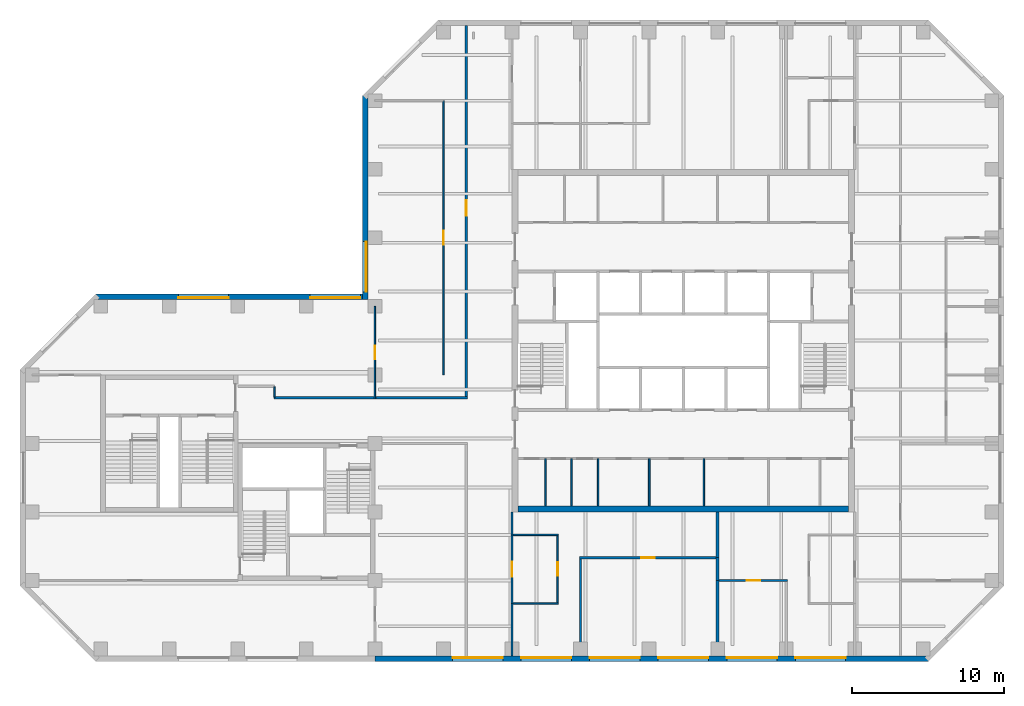
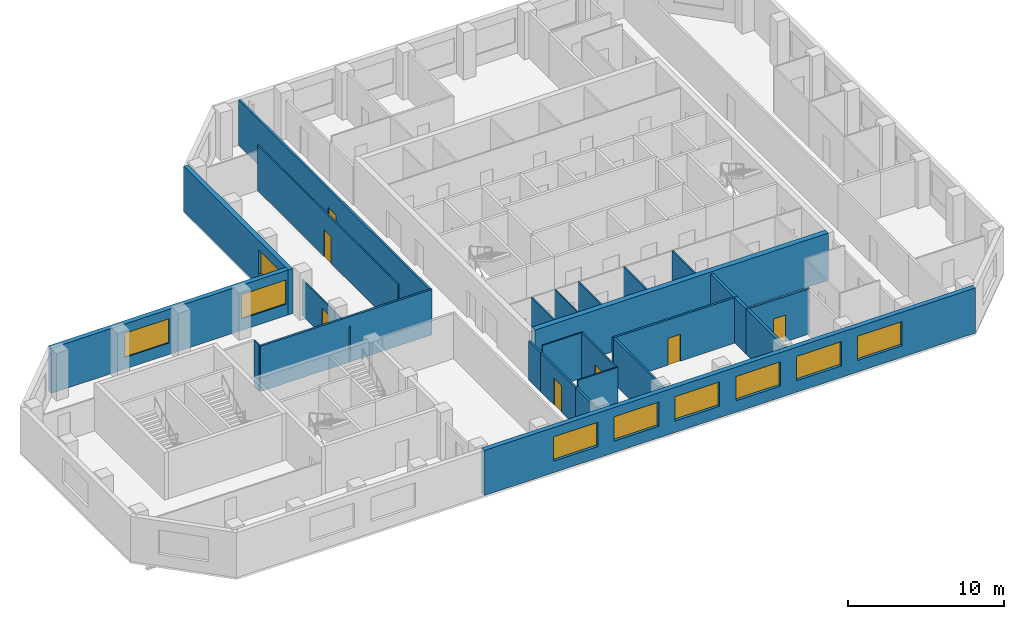
# One storey, part 3 of 8: 26 walls, 9 windows, 7 doors, 16 openings.
"""IFC4 building model written with IfcOpenShell, lengths in metres."""

from ifc_helpers import new_model, si_unit, direction, frame, frame_2d, origin, place, context, subcontext, project, spatial, rectangle, extrude, material, layer, layer_set, constituent, constituent_set, type_object, element, fill, save


model = new_model("IFC4")

# Units and contexts
model_context = context("Model", 3, precision=1e-05, world=origin(), true_north=direction((0.0, 1.0)))
body_context = subcontext(model_context, "Body", "Model", "MODEL_VIEW")
ifc_project = project(units=[si_unit("LENGTHUNIT", "METRE"), si_unit("AREAUNIT", "SQUARE_METRE"), si_unit("VOLUMEUNIT", "CUBIC_METRE"), si_unit("PLANEANGLEUNIT", "RADIAN"), si_unit("MASSUNIT", "GRAM", prefix="KILO")], contexts=[model_context])

# Site, building, storey
site_placement = place(None, origin())
site = spatial("IfcSite", under=ifc_project, at=site_placement, CompositionType="ELEMENT")
building_placement = place(site_placement, origin())
building = spatial("IfcBuilding", under=site, at=building_placement, Name="Quoin Convention Tower", CompositionType="ELEMENT")
storey_placement = place(building_placement, frame((0.0, 0.0, 211.89990234375)))
storey = spatial("IfcBuildingStorey", under=building, at=storey_placement, Name="L55", CompositionType="ELEMENT", Elevation=211.89990234375)

# Wall, opening, door
ifc_material_1 = material(Name="Plasterboard")
ifc_layer_1 = layer(ifc_material_1, 0.012451171875, Name="Finish")
ifc_material_2 = material(Name="Steel stud framing", Category="steel")
ifc_layer_2 = layer(ifc_material_2, 0.125, Name="Structure")
ifc_layer_3 = layer(ifc_material_1, 0.012451171875, Name="Finish")
ifc_layer_set_1 = layer_set([ifc_layer_1, ifc_layer_2, ifc_layer_3], Name="Steel stud framing")
wall_type_1 = type_object("IfcWallType", Name="Acoustic partition 150", PredefinedType="PARTITIONING", material=ifc_layer_set_1)
wall_1_placement = place(storey_placement, frame((58.60009765625, 45.0, 0.0), z_axis=(0.0, 0.0, 1.0), x_axis=(1.0, 0.0, 0.0)))
wall_1 = element("IfcWall", 1, at=wall_1_placement, inside=storey, type_object=wall_type_1, Name="pw-L55-005", PredefinedType="PARTITIONING", context=body_context, shape_type="SweptSolid", body=[
    extrude(rectangle(XDim=4.474853515625, YDim=0.14990234375, at=frame_2d((2.2373046875, 0.0))), origin(), (0.0, 0.0, 1.0), 3.550048828125),
])
opening_1_placement = place(wall_1_placement, frame((1.800048828125, 0.0, 0.0)))
opening_1 = element("IfcOpeningElement", 2, at=opening_1_placement, cuts=wall_1, Name="Opening DOH9-01", PredefinedType="OPENING", context=body_context, shape_type="SweptSolid", body=[
    extrude(rectangle(XDim=0.89990234375, YDim=2.10009765625, at=frame_2d((0.449951171875, 1.050048828125))), frame((0.0, 0.0849609375, 0.0), z_axis=(0.0, -1.0, 0.0), x_axis=(1.0, 0.0, 0.0)), (0.0, 0.0, 1.0), 0.169921875),
])
ifc_material_3 = material(Name="Steel door leaf", Category="steel")
door_type_1 = type_object("IfcDoorType", Name="Office door 900 x 2100", OperationType="SINGLE_SWING_RIGHT", PredefinedType="DOOR", material=ifc_material_3)
door_1_placement = place(opening_1_placement, origin())
door_1 = element("IfcDoor", 3, at=door_1_placement, inside=storey, type_object=door_type_1, Name="dr-L55-12", OperationType="SINGLE_SWING_RIGHT", OverallHeight=2.10009765625, OverallWidth=0.89990234375, PredefinedType="DOOR", context=body_context, shape_type="SweptSolid", body=[
    extrude(rectangle(XDim=0.89990234375, YDim=2.10009765625, at=frame_2d((0.449951171875, 1.050048828125))), frame((0.0, 0.02490234375, 0.0), z_axis=(0.0, -1.0, 0.0), x_axis=(1.0, 0.0, 0.0)), (0.0, 0.0, 1.0), 0.050048828125),
])
fill(opening_1, door_1)

wall_2_placement = place(storey_placement, frame((49.425048828125, 46.5, 0.0), z_axis=(0.0, 0.0, 1.0), x_axis=(1.0, 0.0, 0.0)))
wall_2 = element("IfcWall", 4, at=wall_2_placement, inside=storey, type_object=wall_type_1, Name="pw-L55-008", PredefinedType="PARTITIONING", context=body_context, shape_type="SweptSolid", body=[
    extrude(rectangle(XDim=8.974853515625, YDim=0.14990234375, at=frame_2d((4.4873046875, 0.0))), origin(), (0.0, 0.0, 1.0), 3.550048828125),
])
opening_2_placement = place(wall_2_placement, frame((4.050048828125, 0.0, 0.0)))
opening_2 = element("IfcOpeningElement", 5, at=opening_2_placement, cuts=wall_2, Name="Opening DOH9-03", PredefinedType="OPENING", context=body_context, shape_type="SweptSolid", body=[
    extrude(rectangle(XDim=0.89990234375, YDim=2.10009765625, at=frame_2d((0.449951171875, 1.050048828125))), frame((0.0, 0.0849609375, 0.0), z_axis=(0.0, -1.0, 0.0), x_axis=(1.0, 0.0, 0.0)), (0.0, 0.0, 1.0), 0.169921875),
])
door_2_placement = place(opening_2_placement, frame((0.89990234375, 0.0, 0.0), z_axis=(0.0, 0.0, 1.0), x_axis=(-1.0, 0.0, 0.0)))
door_2 = element("IfcDoor", 6, at=door_2_placement, inside=storey, type_object=door_type_1, Name="dr-L55-09", OperationType="SINGLE_SWING_RIGHT", OverallHeight=2.10009765625, OverallWidth=0.89990234375, PredefinedType="DOOR", context=body_context, shape_type="SweptSolid", body=[
    extrude(rectangle(XDim=0.89990234375, YDim=2.10009765625, at=frame_2d((0.449951171875, 1.050048828125))), frame((0.0, 0.02490234375, 0.0), z_axis=(0.0, -1.0, 0.0), x_axis=(1.0, 0.0, 0.0)), (0.0, 0.0, 1.0), 0.050048828125),
])
fill(opening_2, door_2)

# Wall
wall_3_placement = place(storey_placement, frame((49.5, 40.050048828125, 0.0), z_axis=(0.0, 0.0, 1.0), x_axis=(0.0, 1.0, 0.0)))
element("IfcWall", 7, at=wall_3_placement, inside=storey, type_object=wall_type_1, Name="pw-L55-028", PredefinedType="PARTITIONING", context=body_context, shape_type="SweptSolid", body=[
    extrude(rectangle(XDim=6.375, YDim=0.14990234375, at=frame_2d((3.1875, 0.0))), origin(), (0.0, 0.0, 1.0), 3.550048828125),
])

# Wall, openings, windows
ifc_material_4 = material(Name="Brick masonry", Category="masonry")
ifc_layer_4 = layer(ifc_material_4, 0.35009765625)
ifc_layer_set_2 = layer_set([ifc_layer_4], Name="Brick masonry")
wall_type_2 = type_object("IfcWallType", Name="Brick facade wall", PredefinedType="STANDARD", material=ifc_layer_set_2)
wall_4_placement = place(storey_placement, frame((36.0, 39.875, 0.0), z_axis=(0.0, 0.0, 1.0), x_axis=(1.0, 0.0, 0.0)))
wall_4 = element("IfcWall", 8, at=wall_4_placement, inside=storey, type_object=wall_type_2, Name="fw-L55-36000_40500", PredefinedType="STANDARD", context=body_context, shape_type="SweptSolid", body=[
    extrude(rectangle(XDim=36.331298828125, YDim=0.35009765625, at=frame_2d((18.16552734375, 0.0))), origin(), (0.0, 0.0, 1.0), 3.525146484375),
])
opening_3_placement = place(wall_4_placement, frame((5.10009765625, 0.0, 0.89990234375)))
opening_3 = element("IfcOpeningElement", 9, at=opening_3_placement, cuts=wall_4, Name="Opening W-02", PredefinedType="OPENING", context=body_context, shape_type="SweptSolid", body=[
    extrude(rectangle(XDim=3.300048828125, YDim=1.89990234375, at=frame_2d((1.64990234375, 0.949951171875))), frame((0.0, 0.18505859375, 0.0), z_axis=(0.0, -1.0, 0.0), x_axis=(1.0, 0.0, 0.0)), (0.0, 0.0, 1.0), 0.3701171875),
])
opening_4_placement = place(wall_4_placement, frame((9.60009765625, 0.0, 0.89990234375)))
opening_4 = element("IfcOpeningElement", 10, at=opening_4_placement, cuts=wall_4, Name="Opening W-02", PredefinedType="OPENING", context=body_context, shape_type="SweptSolid", body=[
    extrude(rectangle(XDim=3.300048828125, YDim=1.89990234375, at=frame_2d((1.64990234375, 0.949951171875))), frame((0.0, 0.18505859375, 0.0), z_axis=(0.0, -1.0, 0.0), x_axis=(1.0, 0.0, 0.0)), (0.0, 0.0, 1.0), 0.3701171875),
])
opening_5_placement = place(wall_4_placement, frame((14.10009765625, 0.0, 0.89990234375)))
opening_5 = element("IfcOpeningElement", 11, at=opening_5_placement, cuts=wall_4, Name="Opening W-02", PredefinedType="OPENING", context=body_context, shape_type="SweptSolid", body=[
    extrude(rectangle(XDim=3.300048828125, YDim=1.89990234375, at=frame_2d((1.64990234375, 0.949951171875))), frame((0.0, 0.18505859375, 0.0), z_axis=(0.0, -1.0, 0.0), x_axis=(1.0, 0.0, 0.0)), (0.0, 0.0, 1.0), 0.3701171875),
])
opening_6_placement = place(wall_4_placement, frame((18.60009765625, 0.0, 0.89990234375)))
opening_6 = element("IfcOpeningElement", 12, at=opening_6_placement, cuts=wall_4, Name="Opening W-02", PredefinedType="OPENING", context=body_context, shape_type="SweptSolid", body=[
    extrude(rectangle(XDim=3.300048828125, YDim=1.89990234375, at=frame_2d((1.64990234375, 0.949951171875))), frame((0.0, 0.18505859375, 0.0), z_axis=(0.0, -1.0, 0.0), x_axis=(1.0, 0.0, 0.0)), (0.0, 0.0, 1.0), 0.3701171875),
])
opening_7_placement = place(wall_4_placement, frame((23.10009765625, 0.0, 0.89990234375)))
opening_7 = element("IfcOpeningElement", 13, at=opening_7_placement, cuts=wall_4, Name="Opening W-02", PredefinedType="OPENING", context=body_context, shape_type="SweptSolid", body=[
    extrude(rectangle(XDim=3.300048828125, YDim=1.89990234375, at=frame_2d((1.64990234375, 0.949951171875))), frame((0.0, 0.18505859375, 0.0), z_axis=(0.0, -1.0, 0.0), x_axis=(1.0, 0.0, 0.0)), (0.0, 0.0, 1.0), 0.3701171875),
])
opening_8_placement = place(wall_4_placement, frame((27.60009765625, 0.0, 0.89990234375)))
opening_8 = element("IfcOpeningElement", 14, at=opening_8_placement, cuts=wall_4, Name="Opening W-02", PredefinedType="OPENING", context=body_context, shape_type="SweptSolid", body=[
    extrude(rectangle(XDim=3.300048828125, YDim=1.89990234375, at=frame_2d((1.64990234375, 0.949951171875))), frame((0.0, 0.18505859375, 0.0), z_axis=(0.0, -1.0, 0.0), x_axis=(1.0, 0.0, 0.0)), (0.0, 0.0, 1.0), 0.3701171875),
])
ifc_material_5 = material(Name="Aluminium", Category="aluminium")
ifc_constituent_1 = constituent(ifc_material_5, Name="Frame")
ifc_material_6 = material(Name="Insulated glass", Category="glass")
ifc_constituent_2 = constituent(ifc_material_6, Name="Glazing")
ifc_constituent_set = constituent_set(constituents=[ifc_constituent_1, ifc_constituent_2], Name="Aluminium")
window_type = type_object("IfcWindowType", Name="Office window", PartitioningType="DOUBLE_PANEL_VERTICAL", PredefinedType="WINDOW", material=ifc_constituent_set)
window_1_placement = place(opening_3_placement, origin())
window_1 = element("IfcWindow", 15, at=window_1_placement, inside=storey, type_object=window_type, Name="win-L55-42750_39875", OverallHeight=1.89990234375, OverallWidth=3.300048828125, PartitioningType="SINGLE_PANEL", PredefinedType="WINDOW", context=body_context, shape_type="SweptSolid", body=[
    extrude(rectangle(XDim=3.300048828125, YDim=1.89990234375, at=frame_2d((1.64990234375, 0.949951171875))), frame((0.0, 0.0849609375, 0.0), z_axis=(0.0, -1.0, 0.0), x_axis=(1.0, 0.0, 0.0)), (0.0, 0.0, 1.0), 0.06005859375),
])
fill(opening_3, window_1)
window_2_placement = place(opening_4_placement, origin())
window_2 = element("IfcWindow", 16, at=window_2_placement, inside=storey, type_object=window_type, Name="win-L55-47250_39875", OverallHeight=1.89990234375, OverallWidth=3.300048828125, PartitioningType="SINGLE_PANEL", PredefinedType="WINDOW", context=body_context, shape_type="SweptSolid", body=[
    extrude(rectangle(XDim=3.300048828125, YDim=1.89990234375, at=frame_2d((1.64990234375, 0.949951171875))), frame((0.0, 0.0849609375, 0.0), z_axis=(0.0, -1.0, 0.0), x_axis=(1.0, 0.0, 0.0)), (0.0, 0.0, 1.0), 0.06005859375),
])
fill(opening_4, window_2)
window_3_placement = place(opening_5_placement, origin())
window_3 = element("IfcWindow", 17, at=window_3_placement, inside=storey, type_object=window_type, Name="win-L55-51750_39875", OverallHeight=1.89990234375, OverallWidth=3.300048828125, PartitioningType="SINGLE_PANEL", PredefinedType="WINDOW", context=body_context, shape_type="SweptSolid", body=[
    extrude(rectangle(XDim=3.300048828125, YDim=1.89990234375, at=frame_2d((1.64990234375, 0.949951171875))), frame((0.0, 0.0849609375, 0.0), z_axis=(0.0, -1.0, 0.0), x_axis=(1.0, 0.0, 0.0)), (0.0, 0.0, 1.0), 0.06005859375),
])
fill(opening_5, window_3)
window_4_placement = place(opening_6_placement, origin())
window_4 = element("IfcWindow", 18, at=window_4_placement, inside=storey, type_object=window_type, Name="win-L55-56250_39875", OverallHeight=1.89990234375, OverallWidth=3.300048828125, PartitioningType="SINGLE_PANEL", PredefinedType="WINDOW", context=body_context, shape_type="SweptSolid", body=[
    extrude(rectangle(XDim=3.300048828125, YDim=1.89990234375, at=frame_2d((1.64990234375, 0.949951171875))), frame((0.0, 0.0849609375, 0.0), z_axis=(0.0, -1.0, 0.0), x_axis=(1.0, 0.0, 0.0)), (0.0, 0.0, 1.0), 0.06005859375),
])
fill(opening_6, window_4)
window_5_placement = place(opening_7_placement, origin())
window_5 = element("IfcWindow", 19, at=window_5_placement, inside=storey, type_object=window_type, Name="win-L55-60750_39875", OverallHeight=1.89990234375, OverallWidth=3.300048828125, PartitioningType="SINGLE_PANEL", PredefinedType="WINDOW", context=body_context, shape_type="SweptSolid", body=[
    extrude(rectangle(XDim=3.300048828125, YDim=1.89990234375, at=frame_2d((1.64990234375, 0.949951171875))), frame((0.0, 0.0849609375, 0.0), z_axis=(0.0, -1.0, 0.0), x_axis=(1.0, 0.0, 0.0)), (0.0, 0.0, 1.0), 0.06005859375),
])
fill(opening_7, window_5)
window_6_placement = place(opening_8_placement, origin())
window_6 = element("IfcWindow", 20, at=window_6_placement, inside=storey, type_object=window_type, Name="win-L55-65250_39875", OverallHeight=1.89990234375, OverallWidth=3.300048828125, PartitioningType="SINGLE_PANEL", PredefinedType="WINDOW", context=body_context, shape_type="SweptSolid", body=[
    extrude(rectangle(XDim=3.300048828125, YDim=1.89990234375, at=frame_2d((1.64990234375, 0.949951171875))), frame((0.0, 0.0849609375, 0.0), z_axis=(0.0, -1.0, 0.0), x_axis=(1.0, 0.0, 0.0)), (0.0, 0.0, 1.0), 0.06005859375),
])
fill(opening_8, window_6)

# Wall, opening, window
wall_5_placement = place(storey_placement, frame((35.375, 76.831298828125, 0.0), z_axis=(0.0, 0.0, 1.0), x_axis=(0.0, -1.0, 0.0)))
wall_5 = element("IfcWall", 21, at=wall_5_placement, inside=storey, type_object=wall_type_2, Name="fw-L55-36000_76500", PredefinedType="STANDARD", context=body_context, shape_type="SweptSolid", body=[
    extrude(rectangle(XDim=13.38134765625, YDim=0.35009765625, at=frame_2d((6.690673828125, 0.0))), origin(), (0.0, 0.0, 1.0), 3.525146484375),
])
opening_9_placement = place(wall_5_placement, frame((9.581298828125, 0.0, 0.89990234375)))
opening_9 = element("IfcOpeningElement", 22, at=opening_9_placement, cuts=wall_5, Name="Opening W-02", PredefinedType="OPENING", context=body_context, shape_type="SweptSolid", body=[
    extrude(rectangle(XDim=3.300048828125, YDim=1.89990234375, at=frame_2d((1.64990234375, 0.949951171875))), frame((0.0, 0.18505859375, 0.0), z_axis=(0.0, -1.0, 0.0), x_axis=(1.0, 0.0, 0.0)), (0.0, 0.0, 1.0), 0.3701171875),
])
window_7_placement = place(opening_9_placement, origin())
window_7 = element("IfcWindow", 23, at=window_7_placement, inside=storey, type_object=window_type, Name="win-L55-35375_65250", OverallHeight=1.89990234375, OverallWidth=3.300048828125, PartitioningType="SINGLE_PANEL", PredefinedType="WINDOW", context=body_context, shape_type="SweptSolid", body=[
    extrude(rectangle(XDim=3.300048828125, YDim=1.89990234375, at=frame_2d((1.64990234375, 0.949951171875))), frame((0.0, 0.0849609375, 0.0), z_axis=(0.0, -1.0, 0.0), x_axis=(1.0, 0.0, 0.0)), (0.0, 0.0, 1.0), 0.06005859375),
])
fill(opening_9, window_7)

# Wall, openings, windows
wall_6_placement = place(storey_placement, frame((35.550048828125, 63.625, 0.0), z_axis=(0.0, 0.0, 1.0), x_axis=(-1.0, 0.0, 0.0)))
wall_6 = element("IfcWall", 24, at=wall_6_placement, inside=storey, type_object=wall_type_2, Name="fw-L55-36000_63000", PredefinedType="STANDARD", context=body_context, shape_type="SweptSolid", body=[
    extrude(rectangle(XDim=17.88134765625, YDim=0.35009765625, at=frame_2d((8.940673828125, 0.0))), origin(), (0.0, 0.0, 1.0), 3.525146484375),
])
opening_10_placement = place(wall_6_placement, frame((0.5, 0.0, 0.89990234375)))
opening_10 = element("IfcOpeningElement", 25, at=opening_10_placement, cuts=wall_6, Name="Opening W-02", PredefinedType="OPENING", context=body_context, shape_type="SweptSolid", body=[
    extrude(rectangle(XDim=3.300048828125, YDim=1.89990234375, at=frame_2d((1.64990234375, 0.949951171875))), frame((0.0, 0.18505859375, 0.0), z_axis=(0.0, -1.0, 0.0), x_axis=(1.0, 0.0, 0.0)), (0.0, 0.0, 1.0), 0.3701171875),
])
opening_11_placement = place(wall_6_placement, frame((9.14990234375, 0.0, 0.89990234375)))
opening_11 = element("IfcOpeningElement", 26, at=opening_11_placement, cuts=wall_6, Name="Opening W-02", PredefinedType="OPENING", context=body_context, shape_type="SweptSolid", body=[
    extrude(rectangle(XDim=3.300048828125, YDim=1.89990234375, at=frame_2d((1.64990234375, 0.949951171875))), frame((0.0, 0.18505859375, 0.0), z_axis=(0.0, -1.0, 0.0), x_axis=(1.0, 0.0, 0.0)), (0.0, 0.0, 1.0), 0.3701171875),
])
window_8_placement = place(opening_10_placement, origin())
window_8 = element("IfcWindow", 27, at=window_8_placement, inside=storey, type_object=window_type, Name="win-L55-33750_63625", OverallHeight=1.89990234375, OverallWidth=3.300048828125, PartitioningType="SINGLE_PANEL", PredefinedType="WINDOW", context=body_context, shape_type="SweptSolid", body=[
    extrude(rectangle(XDim=3.300048828125, YDim=1.89990234375, at=frame_2d((1.64990234375, 0.949951171875))), frame((0.0, 0.0849609375, 0.0), z_axis=(0.0, -1.0, 0.0), x_axis=(1.0, 0.0, 0.0)), (0.0, 0.0, 1.0), 0.06005859375),
])
fill(opening_10, window_8)
window_9_placement = place(opening_11_placement, origin())
window_9 = element("IfcWindow", 28, at=window_9_placement, inside=storey, type_object=window_type, Name="win-L55-24750_63625", OverallHeight=1.89990234375, OverallWidth=3.300048828125, PartitioningType="SINGLE_PANEL", PredefinedType="WINDOW", context=body_context, shape_type="SweptSolid", body=[
    extrude(rectangle(XDim=3.300048828125, YDim=1.89990234375, at=frame_2d((1.64990234375, 0.949951171875))), frame((0.0, 0.0849609375, 0.0), z_axis=(0.0, -1.0, 0.0), x_axis=(1.0, 0.0, 0.0)), (0.0, 0.0, 1.0), 0.06005859375),
])
fill(opening_11, window_9)

# Walls
ifc_layer_5 = layer(ifc_material_1, 0.012451171875, Name="Finish")
ifc_layer_6 = layer(ifc_material_2, 0.074951171875, Name="Structure")
ifc_layer_7 = layer(ifc_material_1, 0.012451171875, Name="Finish")
ifc_layer_set_3 = layer_set([ifc_layer_5, ifc_layer_6, ifc_layer_7], Name="Steel stud framing")
wall_type_3 = type_object("IfcWallType", Name="Core partition wall", PredefinedType="PARTITIONING", material=ifc_layer_set_3)
for number, where, z_axis, x_axis, name in (
    (29, (47.18505859375, 49.89990234375, 0.0), (0.0, 0.0, 1.0), (0.0, 1.0, 0.0), "cr-C1-L55-v2185_400"),
    (30, (48.91748046875, 49.89990234375, 0.0), (0.0, 0.0, 1.0), (0.0, 1.0, 0.0), "cr-C1-L55-v3918_400"),
    (31, (50.64990234375, 49.89990234375, 0.0), (0.0, 0.0, 1.0), (0.0, 1.0, 0.0), "cr-C1-L55-v5650_400"),
    (32, (54.010009765625, 49.89990234375, 0.0), (0.0, 0.0, 1.0), (0.0, 1.0, 0.0), "cr-C1-L55-v9010_400"),
    (33, (57.593994140625, 49.89990234375, 0.0), (0.0, 0.0, 1.0), (0.0, 1.0, 0.0), "cr-C1-L55-v12594_400"),
):
    element("IfcWall", number, at=place(storey_placement, frame(where, z_axis=z_axis, x_axis=x_axis)), inside=storey, type_object=wall_type_3, Name=name, PredefinedType="PARTITIONING", context=body_context, shape_type="SweptSolid", body=[
        extrude(rectangle(XDim=3.10009765625, YDim=0.10009765625, at=frame_2d((1.550048828125, 0.0))), origin(), (0.0, 0.0, 1.0), 3.550048828125),
    ])
ifc_layer_8 = layer(ifc_material_1, 0.012451171875, Name="Finish")
ifc_layer_9 = layer(ifc_material_2, 0.125, Name="Structure")
ifc_layer_10 = layer(ifc_material_1, 0.012451171875, Name="Finish")
ifc_layer_set_4 = layer_set([ifc_layer_8, ifc_layer_9, ifc_layer_10], Name="Steel stud framing")
wall_type_4 = type_object("IfcWallType", Name="Corridor wall 150", PredefinedType="PARTITIONING", material=ifc_layer_set_4)
wall_7_placement = place(storey_placement, frame((29.3798828125, 57.0, 0.0), z_axis=(0.0, 0.0, 1.0), x_axis=(1.0, 0.0, 0.0)))
element("IfcWall", 34, at=wall_7_placement, inside=storey, type_object=wall_type_4, Name="pw-L55-016", PredefinedType="PARTITIONING", context=body_context, shape_type="SweptSolid", body=[
    extrude(rectangle(XDim=12.695068359375, YDim=0.14990234375, at=frame_2d((6.34765625, 0.0))), origin(), (0.0, 0.0, 1.0), 3.550048828125),
])

# Wall, opening, door
wall_8_placement = place(storey_placement, frame((42.0, 57.074951171875, 0.0), z_axis=(0.0, 0.0, 1.0), x_axis=(0.0, 1.0, 0.0)))
wall_8 = element("IfcWall", 35, at=wall_8_placement, inside=storey, type_object=wall_type_4, Name="pw-L55-050", PredefinedType="PARTITIONING", context=body_context, shape_type="SweptSolid", body=[
    extrude(rectangle(XDim=24.375, YDim=0.14990234375, at=frame_2d((12.1875, 0.0))), origin(), (0.0, 0.0, 1.0), 3.550048828125),
])
opening_12_placement = place(wall_8_placement, frame((11.889892578125, 0.0, 0.0)))
opening_12 = element("IfcOpeningElement", 36, at=opening_12_placement, cuts=wall_8, Name="Opening DOH9-17", PredefinedType="OPENING", context=body_context, shape_type="SweptSolid", body=[
    extrude(rectangle(XDim=1.0, YDim=2.10009765625, at=frame_2d((0.5, 1.050048828125))), frame((0.0, 0.0849609375, 0.0), z_axis=(0.0, -1.0, 0.0), x_axis=(1.0, 0.0, 0.0)), (0.0, 0.0, 1.0), 0.169921875),
])
door_type_2 = type_object("IfcDoorType", Name="Tenancy entrance door 1000 x 2100", OperationType="DOUBLE_DOOR_SINGLE_SWING", PredefinedType="DOOR", material=ifc_material_3)
door_3_placement = place(opening_12_placement, origin())
door_3 = element("IfcDoor", 37, at=door_3_placement, inside=storey, type_object=door_type_2, Name="dr-L55-w01", OperationType="DOUBLE_DOOR_SINGLE_SWING", OverallHeight=2.10009765625, OverallWidth=1.0, PredefinedType="DOOR", context=body_context, shape_type="SweptSolid", body=[
    extrude(rectangle(XDim=1.0, YDim=2.10009765625, at=frame_2d((0.5, 1.050048828125))), frame((0.0, 0.02490234375, 0.0), z_axis=(0.0, -1.0, 0.0), x_axis=(1.0, 0.0, 0.0)), (0.0, 0.0, 1.0), 0.050048828125),
])
fill(opening_12, door_3)

# Wall
ifc_layer_11 = layer(ifc_material_1, 0.012451171875, Name="Finish")
ifc_layer_12 = layer(ifc_material_2, 0.125, Name="Structure")
ifc_layer_13 = layer(ifc_material_1, 0.012451171875, Name="Finish")
ifc_layer_set_5 = layer_set([ifc_layer_11, ifc_layer_12, ifc_layer_13], Name="Steel stud framing")
wall_type_5 = type_object("IfcWallType", Name="Corridor wall 150 under beam 528", PredefinedType="PARTITIONING", material=ifc_layer_set_5)
wall_9_placement = place(storey_placement, frame((45.0, 40.050048828125, 0.0), z_axis=(0.0, 0.0, 1.0), x_axis=(0.0, 1.0, 0.0)))
element("IfcWall", 38, at=wall_9_placement, inside=storey, type_object=wall_type_5, Name="pw-L55-027", PredefinedType="PARTITIONING", context=body_context, shape_type="SweptSolid", body=[
    extrude(rectangle(XDim=3.449951171875, YDim=0.14990234375, at=frame_2d((1.72509765625, 0.0))), origin(), (0.0, 0.0, 1.0), 3.022216796875),
])

# Wall, opening, door
wall_10_placement = place(storey_placement, frame((45.0, 43.5, 0.0), z_axis=(0.0, 0.0, 1.0), x_axis=(0.0, 1.0, 0.0)))
wall_10 = element("IfcWall", 39, at=wall_10_placement, inside=storey, type_object=wall_type_5, Name="pw-L55-034", PredefinedType="PARTITIONING", context=body_context, shape_type="SweptSolid", body=[
    extrude(rectangle(XDim=4.5, YDim=0.14990234375, at=frame_2d((2.25, 0.0))), origin(), (0.0, 0.0, 1.0), 3.022216796875),
])
opening_13_placement = place(wall_10_placement, frame((1.75, 0.0, 0.0)))
opening_13 = element("IfcOpeningElement", 40, at=opening_13_placement, cuts=wall_10, Name="Opening DOH9-10", PredefinedType="OPENING", context=body_context, shape_type="SweptSolid", body=[
    extrude(rectangle(XDim=1.0, YDim=2.10009765625, at=frame_2d((0.5, 1.050048828125))), frame((0.0, 0.0849609375, 0.0), z_axis=(0.0, -1.0, 0.0), x_axis=(1.0, 0.0, 0.0)), (0.0, 0.0, 1.0), 0.169921875),
])
door_4_placement = place(opening_13_placement, origin())
door_4 = element("IfcDoor", 41, at=door_4_placement, inside=storey, type_object=door_type_2, Name="dr-L55-07", OperationType="DOUBLE_DOOR_SINGLE_SWING", OverallHeight=2.10009765625, OverallWidth=1.0, PredefinedType="DOOR", context=body_context, shape_type="SweptSolid", body=[
    extrude(rectangle(XDim=1.0, YDim=2.10009765625, at=frame_2d((0.5, 1.050048828125))), frame((0.0, 0.02490234375, 0.0), z_axis=(0.0, -1.0, 0.0), x_axis=(1.0, 0.0, 0.0)), (0.0, 0.0, 1.0), 0.050048828125),
])
fill(opening_13, door_4)

# Walls
wall_11_placement = place(storey_placement, frame((45.0, 48.0, 0.0), z_axis=(0.0, 0.0, 1.0), x_axis=(0.0, 1.0, 0.0)))
element("IfcWall", 42, at=wall_11_placement, inside=storey, type_object=wall_type_5, Name="pw-L55-045", PredefinedType="PARTITIONING", context=body_context, shape_type="SweptSolid", body=[
    extrude(rectangle(XDim=1.5, YDim=0.14990234375, at=frame_2d((0.75, 0.0))), origin(), (0.0, 0.0, 1.0), 3.022216796875),
])
ifc_material_7 = material(Name="Concrete C50", Category="concrete")
ifc_layer_14 = layer(ifc_material_7, 0.39990234375)
ifc_layer_set_6 = layer_set([ifc_layer_14], Name="Concrete C50")
wall_type_6 = type_object("IfcWallType", Name="RC CORE WALL 400 C50", PredefinedType="SHEAR", material=ifc_layer_set_6)
wall_12_placement = place(storey_placement, frame((45.39990234375, 49.699951171875, 0.0), z_axis=(0.0, 0.0, 1.0), x_axis=(1.0, 0.0, 0.0)))
element("IfcWall", 43, at=wall_12_placement, inside=storey, type_object=wall_type_6, Name="cwl-C1-L55-S", PredefinedType="SHEAR", context=body_context, shape_type="SweptSolid", body=[
    extrude(rectangle(XDim=21.7001953125, YDim=0.39990234375, at=frame_2d((10.85009765625, 0.0))), origin(), (0.0, 0.0, 1.0), 3.7001953125),
])
ifc_layer_15 = layer(ifc_material_1, 0.012451171875, Name="Finish")
ifc_layer_16 = layer(ifc_material_2, 0.074951171875, Name="Structure")
ifc_layer_17 = layer(ifc_material_1, 0.012451171875, Name="Finish")
ifc_layer_set_7 = layer_set([ifc_layer_15, ifc_layer_16, ifc_layer_17], Name="Steel stud framing")
wall_type_7 = type_object("IfcWallType", Name="Stud partition 100", PredefinedType="PARTITIONING", material=ifc_layer_set_7)
for number, where, z_axis, x_axis, name in (
    (44, (45.074951171875, 43.5, 0.0), (0.0, 0.0, 1.0), (1.0, 0.0, 0.0), "pw-L55-001"),
    (45, (45.074951171875, 48.0, 0.0), (0.0, 0.0, 1.0), (1.0, 0.0, 0.0), "pw-L55-009"),
):
    element("IfcWall", number, at=place(storey_placement, frame(where, z_axis=z_axis, x_axis=x_axis)), inside=storey, type_object=wall_type_7, Name=name, PredefinedType="PARTITIONING", context=body_context, shape_type="SweptSolid", body=[
        extrude(rectangle(XDim=2.97509765625, YDim=0.10009765625, at=frame_2d((1.487548828125, 0.0))), origin(), (0.0, 0.0, 1.0), 3.550048828125),
    ])

# Wall, opening, door
wall_13_placement = place(storey_placement, frame((48.0, 43.550048828125, 0.0), z_axis=(0.0, 0.0, 1.0), x_axis=(0.0, 1.0, 0.0)))
wall_13 = element("IfcWall", 46, at=wall_13_placement, inside=storey, type_object=wall_type_7, Name="pw-L55-036", PredefinedType="PARTITIONING", context=body_context, shape_type="SweptSolid", body=[
    extrude(rectangle(XDim=4.39990234375, YDim=0.10009765625, at=frame_2d((2.199951171875, 0.0))), origin(), (0.0, 0.0, 1.0), 3.550048828125),
])
opening_14_placement = place(wall_13_placement, frame((1.75, 0.0, 0.0)))
opening_14 = element("IfcOpeningElement", 47, at=opening_14_placement, cuts=wall_13, Name="Opening DOH9-12", PredefinedType="OPENING", context=body_context, shape_type="SweptSolid", body=[
    extrude(rectangle(XDim=0.89990234375, YDim=2.10009765625, at=frame_2d((0.449951171875, 1.050048828125))), frame((0.0, 0.06005859375, 0.0), z_axis=(0.0, -1.0, 0.0), x_axis=(1.0, 0.0, 0.0)), (0.0, 0.0, 1.0), 0.1201171875),
])
door_5_placement = place(opening_14_placement, frame((0.89990234375, 0.0, 0.0), z_axis=(0.0, 0.0, 1.0), x_axis=(-1.0, 0.0, 0.0)))
door_5 = element("IfcDoor", 48, at=door_5_placement, inside=storey, type_object=door_type_1, Name="dr-L55-08", OperationType="SINGLE_SWING_LEFT", OverallHeight=2.10009765625, OverallWidth=0.89990234375, PredefinedType="DOOR", context=body_context, shape_type="SweptSolid", body=[
    extrude(rectangle(XDim=0.89990234375, YDim=2.10009765625, at=frame_2d((0.449951171875, 1.050048828125))), frame((0.0, 0.02490234375, 0.0), z_axis=(0.0, -1.0, 0.0), x_axis=(1.0, 0.0, 0.0)), (0.0, 0.0, 1.0), 0.050048828125),
])
fill(opening_14, door_5)

wall_14_placement = place(storey_placement, frame((40.5, 76.5, 0.0), z_axis=(0.0, 0.0, 1.0), x_axis=(0.0, -1.0, 0.0)))
wall_14 = element("IfcWall", 49, at=wall_14_placement, inside=storey, type_object=wall_type_7, Name="pw-L55-w02", PredefinedType="PARTITIONING", context=body_context, shape_type="SweptSolid", body=[
    extrude(rectangle(XDim=18.0, YDim=0.10009765625, at=frame_2d((9.0, 0.0))), origin(), (0.0, 0.0, 1.0), 3.550048828125),
])
opening_15_placement = place(wall_14_placement, frame((8.550048828125, 0.0, 0.0)))
opening_15 = element("IfcOpeningElement", 50, at=opening_15_placement, cuts=wall_14, Name="Opening DOH9-22", PredefinedType="OPENING", context=body_context, shape_type="SweptSolid", body=[
    extrude(rectangle(XDim=0.89990234375, YDim=2.10009765625, at=frame_2d((0.449951171875, 1.050048828125))), frame((0.0, 0.06005859375, 0.0), z_axis=(0.0, -1.0, 0.0), x_axis=(1.0, 0.0, 0.0)), (0.0, 0.0, 1.0), 0.1201171875),
])
door_6_placement = place(opening_15_placement, frame((0.89990234375, 0.0, 0.0), z_axis=(0.0, 0.0, 1.0), x_axis=(-1.0, 0.0, 0.0)))
door_6 = element("IfcDoor", 51, at=door_6_placement, inside=storey, type_object=door_type_1, Name="dr-L55-w02", OperationType="SINGLE_SWING_RIGHT", OverallHeight=2.10009765625, OverallWidth=0.89990234375, PredefinedType="DOOR", context=body_context, shape_type="SweptSolid", body=[
    extrude(rectangle(XDim=0.89990234375, YDim=2.10009765625, at=frame_2d((0.449951171875, 1.050048828125))), frame((0.0, 0.02490234375, 0.0), z_axis=(0.0, -1.0, 0.0), x_axis=(1.0, 0.0, 0.0)), (0.0, 0.0, 1.0), 0.050048828125),
])
fill(opening_15, door_6)

# Wall
wall_15_placement = place(storey_placement, frame((29.39990234375, 57.715087890625, 0.0), z_axis=(0.0, 0.0, 1.0), x_axis=(0.0, -1.0, 0.0)))
element("IfcWall", 52, at=wall_15_placement, inside=storey, type_object=wall_type_7, Name="pw-L55-w08", PredefinedType="PARTITIONING", context=body_context, shape_type="SweptSolid", body=[
    extrude(rectangle(XDim=0.68017578125, YDim=0.10009765625, at=frame_2d((0.340087890625, 0.0))), origin(), (0.0, 0.0, 1.0), 3.550048828125),
])

# Wall, opening, door
ifc_layer_18 = layer(ifc_material_1, 0.012451171875, Name="Finish")
ifc_layer_19 = layer(ifc_material_2, 0.074951171875, Name="Structure")
ifc_layer_20 = layer(ifc_material_1, 0.012451171875, Name="Finish")
ifc_layer_set_8 = layer_set([ifc_layer_18, ifc_layer_19, ifc_layer_20], Name="Steel stud framing")
wall_type_8 = type_object("IfcWallType", Name="Stud partition 100 under beam 750", PredefinedType="PARTITIONING", material=ifc_layer_set_8)
wall_16_placement = place(storey_placement, frame((36.0, 63.0, 0.0), z_axis=(0.0, 0.0, 1.0), x_axis=(0.0, -1.0, 0.0)))
wall_16 = element("IfcWall", 53, at=wall_16_placement, inside=storey, type_object=wall_type_8, Name="pw-L55-w03", PredefinedType="PARTITIONING", context=body_context, shape_type="SweptSolid", body=[
    extrude(rectangle(XDim=6.074951171875, YDim=0.10009765625, at=frame_2d((3.03759765625, 0.0))), origin(), (0.0, 0.0, 1.0), 2.800048828125),
])
opening_16_placement = place(wall_16_placement, frame((2.587890625, 0.0, 0.0)))
opening_16 = element("IfcOpeningElement", 54, at=opening_16_placement, cuts=wall_16, Name="Opening DOH9-23", PredefinedType="OPENING", context=body_context, shape_type="SweptSolid", body=[
    extrude(rectangle(XDim=0.89990234375, YDim=2.10009765625, at=frame_2d((0.449951171875, 1.050048828125))), frame((0.0, 0.06005859375, 0.0), z_axis=(0.0, -1.0, 0.0), x_axis=(1.0, 0.0, 0.0)), (0.0, 0.0, 1.0), 0.1201171875),
])
door_7_placement = place(opening_16_placement, frame((0.89990234375, 0.0, 0.0), z_axis=(0.0, 0.0, 1.0), x_axis=(-1.0, 0.0, 0.0)))
door_7 = element("IfcDoor", 55, at=door_7_placement, inside=storey, type_object=door_type_1, Name="dr-L55-w03", OperationType="SINGLE_SWING_LEFT", OverallHeight=2.10009765625, OverallWidth=0.89990234375, PredefinedType="DOOR", context=body_context, shape_type="SweptSolid", body=[
    extrude(rectangle(XDim=0.89990234375, YDim=2.10009765625, at=frame_2d((0.449951171875, 1.050048828125))), frame((0.0, 0.02490234375, 0.0), z_axis=(0.0, -1.0, 0.0), x_axis=(1.0, 0.0, 0.0)), (0.0, 0.0, 1.0), 0.050048828125),
])
fill(opening_16, door_7)

# Walls
ifc_layer_21 = layer(ifc_material_1, 0.012451171875, Name="Finish")
ifc_layer_22 = layer(ifc_material_2, 0.175048828125, Name="Structure")
ifc_layer_23 = layer(ifc_material_1, 0.012451171875, Name="Finish")
ifc_layer_set_9 = layer_set([ifc_layer_21, ifc_layer_22, ifc_layer_23], Name="Steel stud framing")
wall_type_9 = type_object("IfcWallType", Name="Tenancy demising wall 200", PredefinedType="PARTITIONING", material=ifc_layer_set_9)
wall_17_placement = place(storey_placement, frame((58.5, 40.050048828125, 0.0), z_axis=(0.0, 0.0, 1.0), x_axis=(0.0, 1.0, 0.0)))
element("IfcWall", 56, at=wall_17_placement, inside=storey, type_object=wall_type_9, Name="pw-L55-029", PredefinedType="PARTITIONING", context=body_context, shape_type="SweptSolid", body=[
    extrude(rectangle(XDim=4.949951171875, YDim=0.199951171875, at=frame_2d((2.47509765625, 0.0))), origin(), (0.0, 0.0, 1.0), 3.550048828125),
])
wall_18_placement = place(storey_placement, frame((58.5, 45.0, 0.0), z_axis=(0.0, 0.0, 1.0), x_axis=(0.0, 1.0, 0.0)))
element("IfcWall", 57, at=wall_18_placement, inside=storey, type_object=wall_type_9, Name="pw-L55-039", PredefinedType="PARTITIONING", context=body_context, shape_type="SweptSolid", body=[
    extrude(rectangle(XDim=1.5, YDim=0.199951171875, at=frame_2d((0.75, 0.0))), origin(), (0.0, 0.0, 1.0), 3.550048828125),
])
wall_19_placement = place(storey_placement, frame((58.5, 46.5, 0.0), z_axis=(0.0, 0.0, 1.0), x_axis=(0.0, 1.0, 0.0)))
element("IfcWall", 58, at=wall_19_placement, inside=storey, type_object=wall_type_9, Name="pw-L55-043", PredefinedType="PARTITIONING", context=body_context, shape_type="SweptSolid", body=[
    extrude(rectangle(XDim=3.0, YDim=0.199951171875, at=frame_2d((1.5, 0.0))), origin(), (0.0, 0.0, 1.0), 3.550048828125),
])

save(model, "model.ifc")
